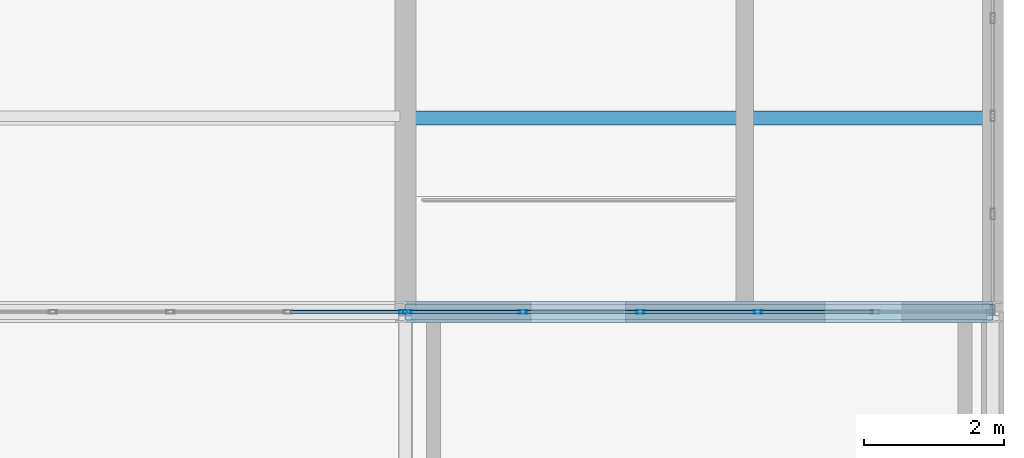
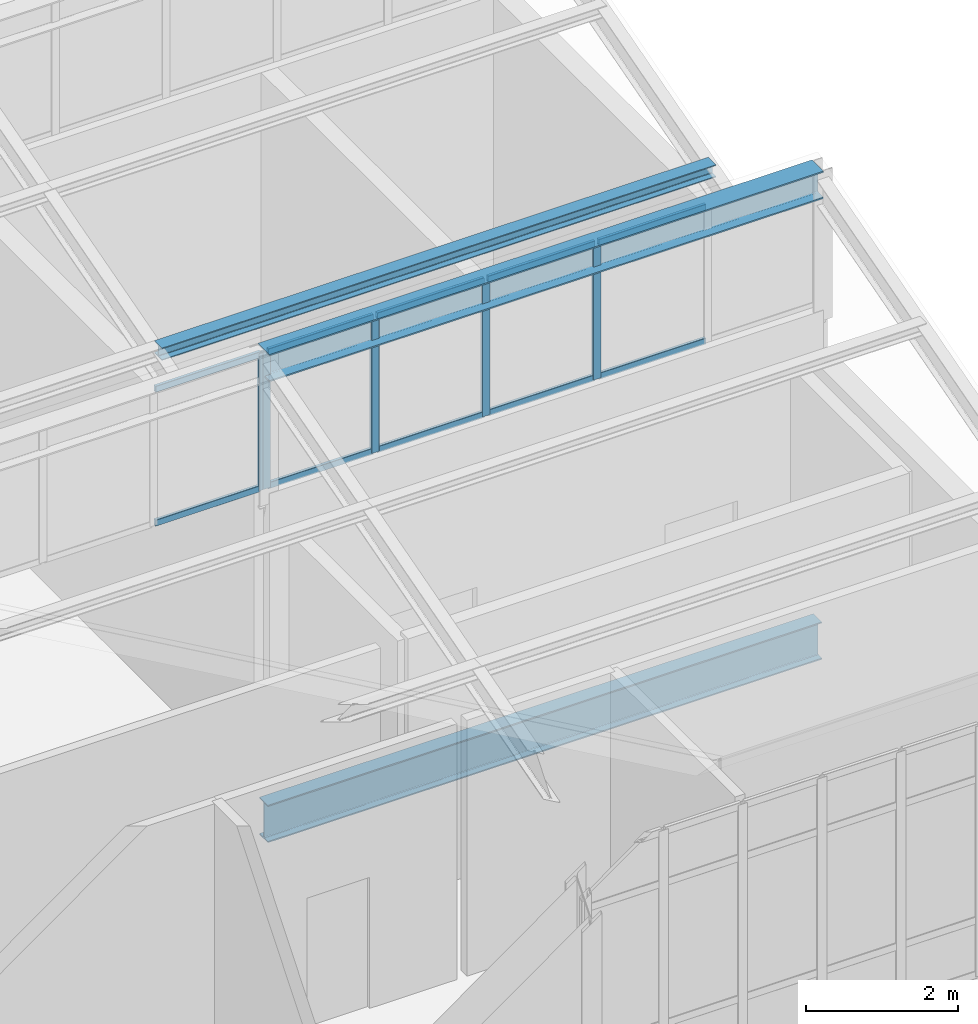
# One storey, part 31 of 53: 16 members, 2 beams, 2 elements without a shape of their own.
"""IFC4 building model written with IfcOpenShell, lengths in metres."""

import ifcopenshell
import ifcopenshell.guid

model = None  # the IFC model being written
_history = None  # IfcOwnerHistory: only IFC2X3 demands one
_inside = {}  # id of a spatial element -> (the spatial element, [elements in it])
_under = {}  # id of a project, library or spatial element -> (it, [spatial elements below it])
_declared = {}  # id of a project -> (the project, [libraries it declares])
_typed = {}  # id of a type object -> (the type object, [elements of that type])
_made_of = {}  # id of a material, layer set ... -> (it, [elements and type objects made of it])


def new_model(schema):
    """Start an empty IFC model of exactly this schema.

    Asked for "IFC4X3", IfcOpenShell would pick the latest addendum, in which some entities
    have other attributes; the version numbers below select the first issue.
    IFC2X3 requires an IfcOwnerHistory on every rooted entity: one is made here for all.
    """
    global model, _history
    if schema == "IFC4X3":
        model = ifcopenshell.file(schema_version=(4, 3, 0, 0))
    else:
        model = ifcopenshell.file(schema=schema)
    _inside.clear()
    _under.clear()
    _declared.clear()
    _typed.clear()
    _made_of.clear()
    _history = None
    if model.schema == "IFC2X3":
        org = make("IfcOrganization", Name="unknown")
        user = make(
            "IfcPersonAndOrganization",
            ThePerson=make("IfcPerson", FamilyName="unknown"),
            TheOrganization=org,
        )
        app = make(
            "IfcApplication",
            ApplicationDeveloper=org,
            Version="unknown",
            ApplicationFullName="unknown",
            ApplicationIdentifier="unknown",
        )
        _history = make(
            "IfcOwnerHistory",
            OwningUser=user,
            OwningApplication=app,
            ChangeAction="ADDED",
            CreationDate=0,
        )
    return model


def make(cls, **values):
    """One entity of the class cls with the attributes given. An attribute that is None is left unset."""
    return model.create_entity(
        cls, **{name: value for name, value in values.items() if value is not None}
    )


def rooted(cls, **values):
    """An entity with a GlobalId (a new one), such as an element, a storey or a relation."""
    return make(cls, GlobalId=ifcopenshell.guid.new(), OwnerHistory=_history, **values)


def si_unit(unit_type, name, prefix=None):
    """IfcSIUnit, for example si_unit("LENGTHUNIT", "METRE", prefix="MILLI")."""
    return make("IfcSIUnit", UnitType=unit_type, Prefix=prefix, Name=name)


def assignment(units):
    """IfcUnitAssignment: the units of a project."""
    return None if units is None else make("IfcUnitAssignment", Units=units)


def point(xyz):
    """IfcCartesianPoint."""
    return None if xyz is None else make("IfcCartesianPoint", Coordinates=xyz)


def direction(xyz):
    """IfcDirection."""
    return None if xyz is None else make("IfcDirection", DirectionRatios=xyz)


def frame(location, z_axis=None, x_axis=None):
    """IfcAxis2Placement3D, a coordinate frame: its origin and axes. An axis left out is left unset."""
    return make(
        "IfcAxis2Placement3D",
        Location=point(location),
        Axis=direction(z_axis),
        RefDirection=direction(x_axis),
    )


def frame_2d(location, x_axis=None):
    """IfcAxis2Placement2D, a coordinate frame in the plane: its origin and x axis."""
    return make(
        "IfcAxis2Placement2D", Location=point(location), RefDirection=direction(x_axis)
    )


def origin():
    """The frame at (0, 0, 0) with its axes left unset."""
    return frame((0.0, 0.0, 0.0))


def origin_2d():
    """The frame at (0, 0) in the plane with its x axis left unset."""
    return frame_2d((0.0, 0.0))


def place(relative_to, where):
    """IfcLocalPlacement: puts the frame where relative to a parent placement (None: the world)."""
    return make(
        "IfcLocalPlacement", PlacementRelTo=relative_to, RelativePlacement=where
    )


def context(
    kind, dimensions, precision=None, world=None, true_north=None, identifier=None
):
    """IfcGeometricRepresentationContext, for example the 3D "Model" context."""
    return make(
        "IfcGeometricRepresentationContext",
        ContextIdentifier=identifier,
        ContextType=kind,
        CoordinateSpaceDimension=dimensions,
        Precision=precision,
        WorldCoordinateSystem=world,
        TrueNorth=true_north,
    )


def subcontext(parent, identifier, kind, view, scale=None):
    """IfcGeometricRepresentationSubContext, for example "Body" below "Model"."""
    return make(
        "IfcGeometricRepresentationSubContext",
        ContextIdentifier=identifier,
        ContextType=kind,
        ParentContext=parent,
        TargetScale=scale,
        TargetView=view,
    )


def project(units=None, contexts=None):
    """IfcProject with its units and contexts."""
    return rooted(
        "IfcProject",
        Name="project",
        RepresentationContexts=contexts,
        UnitsInContext=assignment(units),
    )


def spatial(cls, under=None, at=None, **own):
    """A site, building, storey or space (cls), placed at a placement, below another one or the project."""
    s = rooted(cls, ObjectPlacement=at, **own)
    if under is not None:
        _under.setdefault(under.id(), (under, []))[1].append(s)
    return s


def profile(cls, at=None, kind="AREA", **sizes):
    """A parametric profile (cls). Its sizes go by their IFC names, for example OverallWidth=200.0."""
    return make(cls, ProfileType=kind, Position=at, **sizes)


def hollow_rectangle(**sizes):
    """IfcRectangleHollowProfileDef."""
    return profile("IfcRectangleHollowProfileDef", **sizes)


def i_section(**sizes):
    """IfcIShapeProfileDef."""
    return profile("IfcIShapeProfileDef", **sizes)


def extrude(swept, where, along, depth):
    """IfcExtrudedAreaSolid: the profile swept, set in the frame where, extruded along a direction by depth."""
    return make(
        "IfcExtrudedAreaSolid",
        SweptArea=swept,
        Position=where,
        ExtrudedDirection=direction(along),
        Depth=depth,
    )


def shape(context_of_items, identifier, shape_type, items):
    """IfcShapeRepresentation: the items that make up one representation, for example the "Body"."""
    return make(
        "IfcShapeRepresentation",
        ContextOfItems=context_of_items,
        RepresentationIdentifier=identifier,
        RepresentationType=shape_type,
        Items=items,
    )


def material(Name=None, Category=None):
    """IfcMaterial."""
    return make("IfcMaterial", Name=Name, Category=Category)


def layer(
    of_material, thickness, ventilated=None, Name=None, Category=None, Priority=None
):
    """IfcMaterialLayer: one layer of a wall or slab, of a material (None: an air gap)."""
    return make(
        "IfcMaterialLayer",
        Material=of_material,
        LayerThickness=thickness,
        IsVentilated=ventilated,
        Name=Name,
        Category=Category,
        Priority=Priority,
    )


def layer_set(layers, Name=None):
    """IfcMaterialLayerSet."""
    return make("IfcMaterialLayerSet", MaterialLayers=layers, LayerSetName=Name)


def material_profile(
    of_material, cross_section, Name=None, Category=None, Priority=None
):
    """IfcMaterialProfile: a cross section and its material."""
    return make(
        "IfcMaterialProfile",
        Name=Name,
        Material=of_material,
        Profile=cross_section,
        Priority=Priority,
        Category=Category,
    )


def profile_set(profiles, Name=None, composite=None):
    """IfcMaterialProfileSet."""
    return make(
        "IfcMaterialProfileSet",
        Name=Name,
        MaterialProfiles=profiles,
        CompositeProfile=composite,
    )


def made_of(thing, what):
    """Note that an element or type object is made of a material, layer set ...; save() writes the relation."""
    if what is not None:
        _made_of.setdefault(what.id(), (what, []))[1].append(thing)
    return thing


def type_object(cls, material=None, **own):
    """A type object (cls), such as IfcWallType, which elements share."""
    return made_of(rooted(cls, **own), material)


def element(
    cls,
    number,
    at=None,
    inside=None,
    cuts=None,
    type_object=None,
    material=None,
    context=None,
    identifier="Body",
    shape_type=None,
    held_by="IfcProductDefinitionShape",
    body=None,
    shapes=None,
    **own,
):
    """One element of the class cls, such as IfcWall. Its Tag is "e" and its number.

    at: its placement. inside: the storey or other place that contains it. cuts: it is an
    opening in that element (IfcRelVoidsElement). A single representation is given by context,
    identifier, shape_type and body (its items); several are given by shapes. held_by: the class
    of the entity that holds the representations. save() writes the other relations.
    """
    e = rooted(cls, Tag="e%d" % number, ObjectPlacement=at, **own)
    if body is not None:
        shapes = [shape(context, identifier, shape_type, body)]
    if shapes is not None:
        e.Representation = make(held_by, Representations=shapes)
    if inside is not None:
        _inside.setdefault(inside.id(), (inside, []))[1].append(e)
    if cuts is not None:
        rooted(
            "IfcRelVoidsElement", RelatingBuildingElement=cuts, RelatedOpeningElement=e
        )
    if type_object is not None:
        _typed.setdefault(type_object.id(), (type_object, []))[1].append(e)
    return made_of(e, material)


def aggregate(whole, parts):
    """IfcRelAggregates: a whole, such as a stair, and the parts it consists of."""
    return rooted("IfcRelAggregates", RelatingObject=whole, RelatedObjects=parts)


def save(model, path):
    """Write the relations noted so far, then the file.

    IfcRelAggregates (storeys below a building ...), IfcRelContainedInSpatialStructure (elements
    in a storey), IfcRelDefinesByType, IfcRelAssociatesMaterial and IfcRelDeclares: one each for
    every whole, place, type object, material and project.
    """
    for whole, parts in _under.values():
        aggregate(whole, parts)
    for where, things in _inside.values():
        rooted(
            "IfcRelContainedInSpatialStructure",
            RelatedElements=things,
            RelatingStructure=where,
        )
    for kind, things in _typed.values():
        rooted("IfcRelDefinesByType", RelatedObjects=things, RelatingType=kind)
    for what, things in _made_of.values():
        rooted("IfcRelAssociatesMaterial", RelatedObjects=things, RelatingMaterial=what)
    for by, libraries in _declared.values():
        rooted("IfcRelDeclares", RelatingContext=by, RelatedDefinitions=libraries)
    model.write(path)


model = new_model("IFC4")

# Units and contexts
model_context = context("Model", 3, precision=1e-05, world=origin(), true_north=direction((0.0, 1.0)))
body_context = subcontext(model_context, "Body", "Model", "MODEL_VIEW")
ifc_project = project(units=[si_unit("LENGTHUNIT", "METRE"), si_unit("AREAUNIT", "SQUARE_METRE"), si_unit("VOLUMEUNIT", "CUBIC_METRE"), si_unit("PLANEANGLEUNIT", "RADIAN"), si_unit("MASSUNIT", "GRAM", prefix="KILO")], contexts=[model_context])

# Site, building, storey
site_placement = place(None, origin())
site = spatial("IfcSite", under=ifc_project, at=site_placement, CompositionType="ELEMENT")
building_placement = place(site_placement, origin())
building = spatial("IfcBuilding", under=site, at=building_placement, Name="Qalvenar Corner Mobility Hub", CompositionType="ELEMENT")
storey_placement = place(building_placement, frame((0.0, 0.0, 26.39990234375)))
storey = spatial("IfcBuildingStorey", under=building, at=storey_placement, Name="L06", CompositionType="ELEMENT", Elevation=26.39990234375)

# Beams
ifc_material_1 = material(Name="Steel S355", Category="steel")
ifc_material_profile_1 = material_profile(ifc_material_1, i_section(OverallWidth=0.300048828125, OverallDepth=0.43994140625, WebThickness=0.011474609375, FlangeThickness=0.02099609375, FilletRadius=0.027099609375, at=origin_2d()), Name="HEA450")
ifc_profile_set_1 = profile_set([ifc_material_profile_1], Name="Steel S355")
beam_type_1 = type_object("IfcBeamType", Name="BM-HEA450", PredefinedType="BEAM", material=ifc_profile_set_1)
beam_1_placement = place(storey_placement, frame((33.60009765625, 8.39990234375, 6.81005859375), z_axis=(1.0, 0.0, 0.0), x_axis=(0.0, 1.0, 0.0)))
element("IfcBeam", 1, at=beam_1_placement, inside=storey, type_object=beam_type_1, Name="Sawtooth Ridge Girder V3RDG-1-5", PredefinedType="BEAM", context=body_context, shape_type="SweptSolid", body=[
    extrude(i_section(OverallWidth=0.300048828125, OverallDepth=0.43994140625, WebThickness=0.011474609375, FlangeThickness=0.02099609375, FilletRadius=0.027099609375, at=origin_2d()), origin(), (0.0, 0.0, 1.0), 8.39990234375),
])
ifc_material_profile_2 = material_profile(ifc_material_1, i_section(OverallWidth=0.219970703125, OverallDepth=0.60009765625, WebThickness=0.011962890625, FlangeThickness=0.01904296875, FilletRadius=0.02392578125, at=origin_2d()), Name="IPE600")
ifc_profile_set_2 = profile_set([ifc_material_profile_2], Name="Steel S355")
beam_type_2 = type_object("IfcBeamType", Name="BM-IPE600", PredefinedType="BEAM", material=ifc_profile_set_2)
beam_2_placement = place(storey_placement, frame((33.60009765625, 8.39990234375, -0.52001953125), z_axis=(1.0, 0.0, 0.0), x_axis=(0.0, 1.0, 0.0)))
element("IfcBeam", 2, at=beam_2_placement, inside=storey, type_object=beam_type_2, Name="Primary Steel Girder GX-3061", PredefinedType="BEAM", context=body_context, shape_type="SweptSolid", body=[
    extrude(i_section(OverallWidth=0.219970703125, OverallDepth=0.60009765625, WebThickness=0.011962890625, FlangeThickness=0.01904296875, FilletRadius=0.02392578125, at=origin_2d()), origin(), (0.0, 0.0, 1.0), 8.39990234375),
])

# Curtain wall, member
ifc_material_2 = material(Name="Anodised Aluminium and Low-E Glazing", Category="aluminium")
ifc_layer = layer(ifc_material_2, 0.1201171875)
ifc_layer_set = layer_set([ifc_layer], Name="Anodised Aluminium and Low-E Glazing")
curtain_wall_type = type_object("IfcCurtainWallType", Name="CW-CLR-84X24", PredefinedType="NOTDEFINED", material=ifc_layer_set)
curtain_wall_1_placement = place(storey_placement, origin())
curtain_wall_1 = element("IfcCurtainWall", 3, at=curtain_wall_1_placement, inside=storey, type_object=curtain_wall_type, Name="Glazed Curtain Wall CW-V3-SAW-1-3", PredefinedType="NOTDEFINED")
ifc_material_3 = material(Name="Anodised Aluminium 6063-T6", Category="aluminium")
ifc_material_profile_3 = material_profile(ifc_material_3, hollow_rectangle(XDim=0.054931640625, YDim=0.1201171875, WallThickness=0.00341796875, InnerFilletRadius=0.00341796875, OuterFilletRadius=0.007080078125, at=origin_2d()), Name="RHS120x55x3.5")
ifc_profile_set_3 = profile_set([ifc_material_profile_3], Name="Anodised Aluminium 6063-T6")
member_type_1 = type_object("IfcMemberType", Name="CW-MUL120", PredefinedType="MULLION", material=ifc_profile_set_3)
member_1_placement = place(storey_placement, frame((33.570068359375, 8.39990234375, 4.800048828125), z_axis=(0.0, 0.0, 1.0), x_axis=(0.0, -1.0, 0.0)))
member_1 = element("IfcMember", 4, at=member_1_placement, type_object=member_type_1, Name="CW-12 mullion 1", PredefinedType="MULLION", context=body_context, shape_type="SweptSolid", body=[
    extrude(hollow_rectangle(XDim=0.054931640625, YDim=0.1201171875, WallThickness=0.00341796875, InnerFilletRadius=0.00341796875, OuterFilletRadius=0.007080078125, at=origin_2d()), origin(), (0.0, 0.0, 1.0), 2.199951171875),
])

# Curtain wall, members
curtain_wall_2_placement = place(storey_placement, origin())
curtain_wall_2 = element("IfcCurtainWall", 5, at=curtain_wall_2_placement, inside=storey, type_object=curtain_wall_type, Name="Glazed Curtain Wall CW-V3-SAW-1-4", PredefinedType="NOTDEFINED")
member_2_placement = place(storey_placement, frame((38.639892578125, 8.39990234375, 4.800048828125), z_axis=(0.0, 0.0, 1.0), x_axis=(0.0, -1.0, 0.0)))
member_2 = element("IfcMember", 6, at=member_2_placement, type_object=member_type_1, Name="CW-12 mullion 3", PredefinedType="MULLION", context=body_context, shape_type="SweptSolid", body=[
    extrude(hollow_rectangle(XDim=0.054931640625, YDim=0.1201171875, WallThickness=0.00341796875, InnerFilletRadius=0.00341796875, OuterFilletRadius=0.007080078125, at=origin_2d()), origin(), (0.0, 0.0, 1.0), 2.199951171875),
])
member_3_placement = place(storey_placement, frame((36.9599609375, 8.39990234375, 4.800048828125), z_axis=(0.0, 0.0, 1.0), x_axis=(0.0, -1.0, 0.0)))
member_3 = element("IfcMember", 7, at=member_3_placement, type_object=member_type_1, Name="CW-12 mullion 4", PredefinedType="MULLION", context=body_context, shape_type="SweptSolid", body=[
    extrude(hollow_rectangle(XDim=0.054931640625, YDim=0.1201171875, WallThickness=0.00341796875, InnerFilletRadius=0.00341796875, OuterFilletRadius=0.007080078125, at=origin_2d()), origin(), (0.0, 0.0, 1.0), 2.199951171875),
])
member_4_placement = place(storey_placement, frame((35.280029296875, 8.39990234375, 4.800048828125), z_axis=(0.0, 0.0, 1.0), x_axis=(0.0, -1.0, 0.0)))
member_4 = element("IfcMember", 8, at=member_4_placement, type_object=member_type_1, Name="CW-12 mullion 5", PredefinedType="MULLION", context=body_context, shape_type="SweptSolid", body=[
    extrude(hollow_rectangle(XDim=0.054931640625, YDim=0.1201171875, WallThickness=0.00341796875, InnerFilletRadius=0.00341796875, OuterFilletRadius=0.007080078125, at=origin_2d()), origin(), (0.0, 0.0, 1.0), 2.199951171875),
])
member_5_placement = place(storey_placement, frame((33.6298828125, 8.39990234375, 4.800048828125), z_axis=(0.0, 0.0, 1.0), x_axis=(0.0, -1.0, 0.0)))
member_5 = element("IfcMember", 9, at=member_5_placement, type_object=member_type_1, Name="CW-12 mullion 6", PredefinedType="MULLION", context=body_context, shape_type="SweptSolid", body=[
    extrude(hollow_rectangle(XDim=0.054931640625, YDim=0.1201171875, WallThickness=0.00341796875, InnerFilletRadius=0.00341796875, OuterFilletRadius=0.007080078125, at=origin_2d()), origin(), (0.0, 0.0, 1.0), 2.199951171875),
])

# Member
ifc_material_profile_4 = material_profile(ifc_material_3, hollow_rectangle(XDim=0.050048828125, YDim=0.10009765625, WallThickness=0.0029296875, InnerFilletRadius=0.0029296875, OuterFilletRadius=0.006103515625, at=origin_2d()), Name="RHS100x50x3")
ifc_profile_set_4 = profile_set([ifc_material_profile_4], Name="Anodised Aluminium 6063-T6")
member_type_2 = type_object("IfcMemberType", Name="CW-TRN100", PredefinedType="USERDEFINED", material=ifc_profile_set_4)
member_6_placement = place(storey_placement, frame((33.5400390625, 8.39990234375, 4.82763671875), z_axis=(-1.0, 0.0, 0.0), x_axis=(0.0, -1.0, 0.0)))
member_6 = element("IfcMember", 10, at=member_6_placement, type_object=member_type_2, Name="CW-12 transom 1.1", ObjectType="TRANSOM", PredefinedType="USERDEFINED", context=body_context, shape_type="SweptSolid", body=[
    extrude(hollow_rectangle(XDim=0.050048828125, YDim=0.10009765625, WallThickness=0.0029296875, InnerFilletRadius=0.0029296875, OuterFilletRadius=0.006103515625, at=origin_2d()), origin(), (0.0, 0.0, 1.0), 1.590087890625),
])

member_7_placement = place(storey_placement, frame((33.5400390625, 8.39990234375, 6.97265625), z_axis=(-1.0, 0.0, 0.0), x_axis=(0.0, -1.0, 0.0)))
member_7 = element("IfcMember", 11, at=member_7_placement, type_object=member_type_2, Name="CW-12 transom 1.2", ObjectType="TRANSOM", PredefinedType="USERDEFINED", context=body_context, shape_type="SweptSolid", body=[
    extrude(hollow_rectangle(XDim=0.050048828125, YDim=0.10009765625, WallThickness=0.0029296875, InnerFilletRadius=0.0029296875, OuterFilletRadius=0.006103515625, at=origin_2d()), origin(), (0.0, 0.0, 1.0), 1.590087890625),
])

aggregate(curtain_wall_1, [member_1, member_6, member_7])

member_8_placement = place(storey_placement, frame((40.2900390625, 8.39990234375, 4.82763671875), z_axis=(-1.0, 0.0, 0.0), x_axis=(0.0, -1.0, 0.0)))
member_8 = element("IfcMember", 12, at=member_8_placement, type_object=member_type_2, Name="CW-12 transom 2.1", ObjectType="TRANSOM", PredefinedType="USERDEFINED", context=body_context, shape_type="SweptSolid", body=[
    extrude(hollow_rectangle(XDim=0.050048828125, YDim=0.10009765625, WallThickness=0.0029296875, InnerFilletRadius=0.0029296875, OuterFilletRadius=0.006103515625, at=origin_2d()), origin(), (0.0, 0.0, 1.0), 1.6201171875),
])

member_9_placement = place(storey_placement, frame((40.2900390625, 8.39990234375, 6.97265625), z_axis=(-1.0, 0.0, 0.0), x_axis=(0.0, -1.0, 0.0)))
member_9 = element("IfcMember", 13, at=member_9_placement, type_object=member_type_2, Name="CW-12 transom 2.2", ObjectType="TRANSOM", PredefinedType="USERDEFINED", context=body_context, shape_type="SweptSolid", body=[
    extrude(hollow_rectangle(XDim=0.050048828125, YDim=0.10009765625, WallThickness=0.0029296875, InnerFilletRadius=0.0029296875, OuterFilletRadius=0.006103515625, at=origin_2d()), origin(), (0.0, 0.0, 1.0), 1.6201171875),
])

member_10_placement = place(storey_placement, frame((38.610107421875, 8.39990234375, 4.82763671875), z_axis=(-1.0, 0.0, 0.0), x_axis=(0.0, -1.0, 0.0)))
member_10 = element("IfcMember", 14, at=member_10_placement, type_object=member_type_2, Name="CW-12 transom 3.1", ObjectType="TRANSOM", PredefinedType="USERDEFINED", context=body_context, shape_type="SweptSolid", body=[
    extrude(hollow_rectangle(XDim=0.050048828125, YDim=0.10009765625, WallThickness=0.0029296875, InnerFilletRadius=0.0029296875, OuterFilletRadius=0.006103515625, at=origin_2d()), origin(), (0.0, 0.0, 1.0), 1.6201171875),
])

member_11_placement = place(storey_placement, frame((38.610107421875, 8.39990234375, 6.97265625), z_axis=(-1.0, 0.0, 0.0), x_axis=(0.0, -1.0, 0.0)))
member_11 = element("IfcMember", 15, at=member_11_placement, type_object=member_type_2, Name="CW-12 transom 3.2", ObjectType="TRANSOM", PredefinedType="USERDEFINED", context=body_context, shape_type="SweptSolid", body=[
    extrude(hollow_rectangle(XDim=0.050048828125, YDim=0.10009765625, WallThickness=0.0029296875, InnerFilletRadius=0.0029296875, OuterFilletRadius=0.006103515625, at=origin_2d()), origin(), (0.0, 0.0, 1.0), 1.6201171875),
])

member_12_placement = place(storey_placement, frame((36.929931640625, 8.39990234375, 4.82763671875), z_axis=(-1.0, 0.0, 0.0), x_axis=(0.0, -1.0, 0.0)))
member_12 = element("IfcMember", 16, at=member_12_placement, type_object=member_type_2, Name="CW-12 transom 4.1", ObjectType="TRANSOM", PredefinedType="USERDEFINED", context=body_context, shape_type="SweptSolid", body=[
    extrude(hollow_rectangle(XDim=0.050048828125, YDim=0.10009765625, WallThickness=0.0029296875, InnerFilletRadius=0.0029296875, OuterFilletRadius=0.006103515625, at=origin_2d()), origin(), (0.0, 0.0, 1.0), 1.619873046875),
])

member_13_placement = place(storey_placement, frame((36.929931640625, 8.39990234375, 6.97265625), z_axis=(-1.0, 0.0, 0.0), x_axis=(0.0, -1.0, 0.0)))
member_13 = element("IfcMember", 17, at=member_13_placement, type_object=member_type_2, Name="CW-12 transom 4.2", ObjectType="TRANSOM", PredefinedType="USERDEFINED", context=body_context, shape_type="SweptSolid", body=[
    extrude(hollow_rectangle(XDim=0.050048828125, YDim=0.10009765625, WallThickness=0.0029296875, InnerFilletRadius=0.0029296875, OuterFilletRadius=0.006103515625, at=origin_2d()), origin(), (0.0, 0.0, 1.0), 1.619873046875),
])

member_14_placement = place(storey_placement, frame((35.25, 8.39990234375, 4.82763671875), z_axis=(-1.0, 0.0, 0.0), x_axis=(0.0, -1.0, 0.0)))
member_14 = element("IfcMember", 18, at=member_14_placement, type_object=member_type_2, Name="CW-12 transom 5.1", ObjectType="TRANSOM", PredefinedType="USERDEFINED", context=body_context, shape_type="SweptSolid", body=[
    extrude(hollow_rectangle(XDim=0.050048828125, YDim=0.10009765625, WallThickness=0.0029296875, InnerFilletRadius=0.0029296875, OuterFilletRadius=0.006103515625, at=origin_2d()), origin(), (0.0, 0.0, 1.0), 1.590087890625),
])

member_15_placement = place(storey_placement, frame((35.25, 8.39990234375, 6.97265625), z_axis=(-1.0, 0.0, 0.0), x_axis=(0.0, -1.0, 0.0)))
member_15 = element("IfcMember", 19, at=member_15_placement, type_object=member_type_2, Name="CW-12 transom 5.2", ObjectType="TRANSOM", PredefinedType="USERDEFINED", context=body_context, shape_type="SweptSolid", body=[
    extrude(hollow_rectangle(XDim=0.050048828125, YDim=0.10009765625, WallThickness=0.0029296875, InnerFilletRadius=0.0029296875, OuterFilletRadius=0.006103515625, at=origin_2d()), origin(), (0.0, 0.0, 1.0), 1.590087890625),
])

aggregate(curtain_wall_2, [member_2, member_3, member_4, member_5, member_8, member_9, member_10, member_11, member_12, member_13, member_14, member_15])

ifc_material_profile_5 = material_profile(ifc_material_1, i_section(OverallWidth=0.199951171875, OverallDepth=0.199951171875, WebThickness=0.009033203125, FlangeThickness=0.014892578125, FilletRadius=0.01806640625, at=origin_2d()), Name="HEB200")
ifc_profile_set_5 = profile_set([ifc_material_profile_5], Name="Steel S355")
member_type_3 = type_object("IfcMemberType", Name="PR-RHS200", PredefinedType="PURLIN", material=ifc_profile_set_5)
member_16_placement = place(storey_placement, frame((33.60009765625, 11.172119140625, 5.322021484375), z_axis=(1.0, 0.0, 0.0), x_axis=(0.0, 1.0, 0.0)))
element("IfcMember", 20, at=member_16_placement, inside=storey, type_object=member_type_3, Name="Sawtooth Roof Purlin PR-V3-2-5-33", PredefinedType="PURLIN", context=body_context, shape_type="SweptSolid", body=[
    extrude(i_section(OverallWidth=0.199951171875, OverallDepth=0.199951171875, WebThickness=0.009033203125, FlangeThickness=0.014892578125, FilletRadius=0.01806640625, at=origin_2d()), origin(), (0.0, 0.0, 1.0), 8.39990234375),
])

save(model, "model.ifc")
